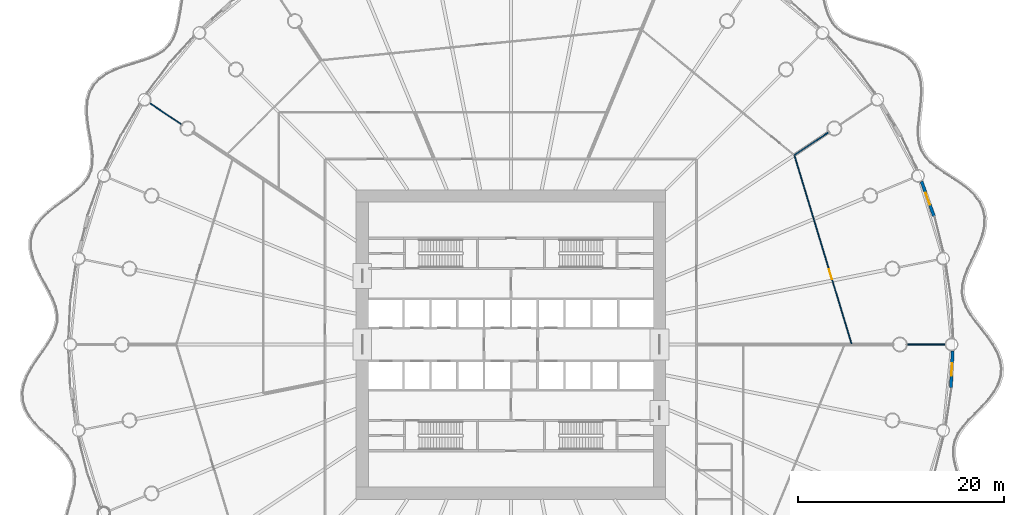
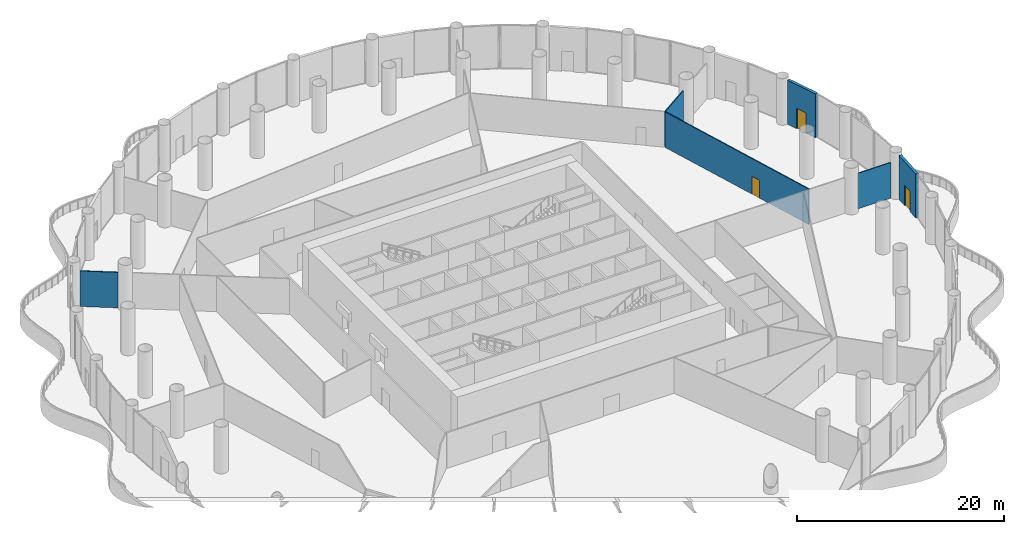
# One storey, part 27 of 37: 6 walls, 3 doors, 3 openings.
"""IFC4 building model written with IfcOpenShell, lengths in metres."""

from ifc_helpers import new_model, si_unit, direction, frame, frame_2d, origin, place, context, subcontext, project, spatial, rectangle, extrude, material, layer, layer_set, type_object, element, fill, save


model = new_model("IFC4")

# Units and contexts
model_context = context("Model", 3, precision=1e-05, world=origin(), true_north=direction((0.0, 1.0)))
body_context = subcontext(model_context, "Body", "Model", "MODEL_VIEW")
ifc_project = project(units=[si_unit("LENGTHUNIT", "METRE"), si_unit("AREAUNIT", "SQUARE_METRE"), si_unit("VOLUMEUNIT", "CUBIC_METRE"), si_unit("PLANEANGLEUNIT", "RADIAN"), si_unit("MASSUNIT", "GRAM", prefix="KILO")], contexts=[model_context])

# Site, building, storey
site_placement = place(None, origin())
site = spatial("IfcSite", under=ifc_project, at=site_placement, CompositionType="ELEMENT")
building_placement = place(site_placement, origin())
building = spatial("IfcBuilding", under=site, at=building_placement, Name="Corvane Civic Tower", CompositionType="ELEMENT")
storey_placement = place(building_placement, frame((0.0, 0.0, 11.5)))
storey = spatial("IfcBuildingStorey", under=building, at=storey_placement, Name="L02", CompositionType="ELEMENT", Elevation=11.5)

# Wall, opening, door
ifc_material_1 = material(Name="Terracotta cladding", Category="masonry")
ifc_layer_1 = layer(ifc_material_1, 0.300048828125)
ifc_layer_set_1 = layer_set([ifc_layer_1], Name="Terracotta cladding")
wall_type_1 = type_object("IfcWallType", Name="PODIUM-W-DRUMDOOR-300", PredefinedType="SOLIDWALL", material=ifc_layer_set_1)
wall_1_placement = place(storey_placement, frame((39.80126953125, 15.80224609375, 0.0), z_axis=(0.0, 0.0, 1.0), x_axis=(0.336870717414, -0.941550911926, 0.0)))
wall_1 = element("IfcWall", 1, at=wall_1_placement, inside=storey, type_object=wall_type_1, Name="L02 drum door bay wall 07", PredefinedType="SOLIDWALL", context=body_context, shape_type="SweptSolid", body=[
    extrude(rectangle(XDim=3.559814453125, YDim=0.300048828125, at=frame_2d((1.77978515625, 0.0))), origin(), (0.0, 0.0, 1.0), 5.199951171875),
])
opening_1_placement = place(wall_1_placement, frame((1.179931640625, 0.0, 0.0)))
opening_1 = element("IfcOpeningElement", 2, at=opening_1_placement, cuts=wall_1, Name="Opening ED-L02-07", PredefinedType="OPENING", context=body_context, shape_type="SweptSolid", body=[
    extrude(rectangle(XDim=1.199951171875, YDim=2.39990234375, at=frame_2d((0.60009765625, 1.199951171875))), frame((0.0, 0.159912109375, 0.0), z_axis=(0.0, -1.0, 0.0), x_axis=(1.0, 0.0, 0.0)), (0.0, 0.0, 1.0), 0.320068359375),
])
ifc_material_2 = material(Name="Anodised aluminium and glass", Category="aluminium")
door_type_1 = type_object("IfcDoorType", Name="PODIUM-D-BALCONY-1200", OperationType="SINGLE_SWING_LEFT", PredefinedType="DOOR", material=ifc_material_2)
door_1_placement = place(opening_1_placement, origin())
door_1 = element("IfcDoor", 3, at=door_1_placement, inside=storey, type_object=door_type_1, Name="L02 balcony door 07", OperationType="SINGLE_SWING_LEFT", OverallHeight=2.39990234375, OverallWidth=1.199951171875, PredefinedType="DOOR", context=body_context, shape_type="SweptSolid", body=[
    extrude(rectangle(XDim=1.199951171875, YDim=2.39990234375, at=frame_2d((0.60009765625, 1.199951171875))), frame((0.0, 0.02490234375, 0.0), z_axis=(0.0, -1.0, 0.0), x_axis=(1.0, 0.0, 0.0)), (0.0, 0.0, 1.0), 0.050048828125),
])
fill(opening_1, door_1)

wall_2_placement = place(storey_placement, frame((42.81884765625, -0.6318359375, 0.0), z_axis=(0.0, 0.0, 1.0), x_axis=(-0.049103014495, -0.998793719427, 0.0)))
wall_2 = element("IfcWall", 4, at=wall_2_placement, inside=storey, type_object=wall_type_1, Name="L02 drum door bay wall 09", PredefinedType="SOLIDWALL", context=body_context, shape_type="SweptSolid", body=[
    extrude(rectangle(XDim=3.56005859375, YDim=0.300048828125, at=frame_2d((1.780029296875, 0.0))), origin(), (0.0, 0.0, 1.0), 5.199951171875),
])
opening_2_placement = place(wall_2_placement, frame((1.179931640625, 0.0, 0.0)))
opening_2 = element("IfcOpeningElement", 5, at=opening_2_placement, cuts=wall_2, Name="Opening ED-L02-09", PredefinedType="OPENING", context=body_context, shape_type="SweptSolid", body=[
    extrude(rectangle(XDim=1.199951171875, YDim=2.39990234375, at=frame_2d((0.60009765625, 1.199951171875))), frame((0.0, 0.159912109375, 0.0), z_axis=(0.0, -1.0, 0.0), x_axis=(1.0, 0.0, 0.0)), (0.0, 0.0, 1.0), 0.320068359375),
])
door_2_placement = place(opening_2_placement, origin())
door_2 = element("IfcDoor", 6, at=door_2_placement, inside=storey, type_object=door_type_1, Name="L02 balcony door 09", OperationType="SINGLE_SWING_LEFT", OverallHeight=2.39990234375, OverallWidth=1.199951171875, PredefinedType="DOOR", context=body_context, shape_type="SweptSolid", body=[
    extrude(rectangle(XDim=1.199951171875, YDim=2.39990234375, at=frame_2d((0.60009765625, 1.199951171875))), frame((0.0, 0.02490234375, 0.0), z_axis=(0.0, -1.0, 0.0), x_axis=(1.0, 0.0, 0.0)), (0.0, 0.0, 1.0), 0.050048828125),
])
fill(opening_2, door_2)

# Wall
ifc_material_3 = material(Name="Plasterboard")
ifc_layer_2 = layer(ifc_material_3, 0.10009765625)
ifc_layer_set_2 = layer_set([ifc_layer_2], Name="Plasterboard")
wall_type_2 = type_object("IfcWallType", Name="Partition 100 plasterboard on studs", PredefinedType="PARTITIONING", material=ifc_layer_set_2)
wall_3_placement = place(storey_placement, frame((38.409912109375, 0.0, 0.0), z_axis=(0.0, 0.0, 1.0), x_axis=(1.0, 0.0, 0.0)))
element("IfcWall", 7, at=wall_3_placement, inside=storey, type_object=wall_type_2, Name="Partition L02.031", PredefinedType="PARTITIONING", context=body_context, shape_type="SweptSolid", body=[
    extrude(rectangle(XDim=3.68017578125, YDim=0.10009765625, at=frame_2d((1.840087890625, 0.0))), origin(), (0.0, 0.0, 1.0), 4.199951171875),
])

# Wall, opening, door
wall_4_placement = place(storey_placement, frame((27.481201171875, 18.319580078125, 0.0), z_axis=(0.0, 0.0, 1.0), x_axis=(0.290283018081, -0.956940839035, 0.0)))
wall_4 = element("IfcWall", 8, at=wall_4_placement, inside=storey, type_object=wall_type_2, Name="Partition L02.033", PredefinedType="PARTITIONING", context=body_context, shape_type="SweptSolid", body=[
    extrude(rectangle(XDim=19.07666015625, YDim=0.10009765625, at=frame_2d((9.538330078125, 0.0))), origin(), (0.0, 0.0, 1.0), 4.199951171875),
])
opening_3_placement = place(wall_4_placement, frame((11.532470703125, 0.0, 0.0)))
opening_3 = element("IfcOpeningElement", 9, at=opening_3_placement, cuts=wall_4, Name="Opening L02.008", PredefinedType="OPENING", context=body_context, shape_type="SweptSolid", body=[
    extrude(rectangle(XDim=1.0, YDim=2.10009765625, at=frame_2d((0.5, 1.050048828125))), frame((0.0, 0.06005859375, 0.0), z_axis=(0.0, -1.0, 0.0), x_axis=(1.0, 0.0, 0.0)), (0.0, 0.0, 1.0), 0.1201171875),
])
ifc_material_4 = material(Name="Timber", Category="wood")
door_type_2 = type_object("IfcDoorType", Name="Single door 1000", OperationType="NOTDEFINED", PredefinedType="DOOR", material=ifc_material_4)
door_3_placement = place(opening_3_placement, origin())
door_3 = element("IfcDoor", 10, at=door_3_placement, inside=storey, type_object=door_type_2, Name="Door L02.008", OperationType="SINGLE_SWING_RIGHT", OverallHeight=2.10009765625, OverallWidth=1.0, PredefinedType="DOOR", context=body_context, shape_type="SweptSolid", body=[
    extrude(rectangle(XDim=1.0, YDim=2.10009765625, at=frame_2d((0.5, 1.050048828125))), frame((0.0, 0.02490234375, 0.0), z_axis=(0.0, -1.0, 0.0), x_axis=(1.0, 0.0, 0.0)), (0.0, 0.0, 1.0), 0.050048828125),
])
fill(opening_3, door_3)

# Walls
wall_5_placement = place(storey_placement, frame((27.501220703125, 18.375732421875, 0.0), z_axis=(0.0, 0.0, 1.0), x_axis=(0.831474152705, 0.555563437766, 0.0)))
element("IfcWall", 11, at=wall_5_placement, inside=storey, type_object=wall_type_2, Name="Partition L02.040", PredefinedType="PARTITIONING", context=body_context, shape_type="SweptSolid", body=[
    extrude(rectangle(XDim=3.91455078125, YDim=0.10009765625, at=frame_2d((1.957275390625, 0.0))), origin(), (0.0, 0.0, 1.0), 4.199951171875),
])
wall_6_placement = place(storey_placement, frame((-34.99658203125, 23.3837890625, 0.0), z_axis=(0.0, 0.0, 1.0), x_axis=(0.831508927146, -0.555511389691, 0.0)))
element("IfcWall", 12, at=wall_6_placement, inside=storey, type_object=wall_type_2, Name="Partition L02.042", PredefinedType="PARTITIONING", context=body_context, shape_type="SweptSolid", body=[
    extrude(rectangle(XDim=3.679931640625, YDim=0.10009765625, at=frame_2d((1.83984375, 0.0))), origin(), (0.0, 0.0, 1.0), 4.199951171875),
])

save(model, "model.ifc")
